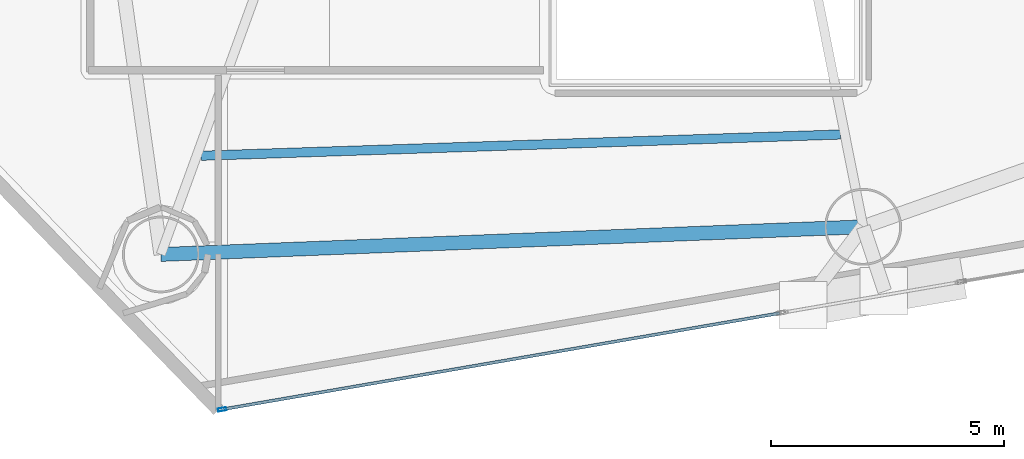
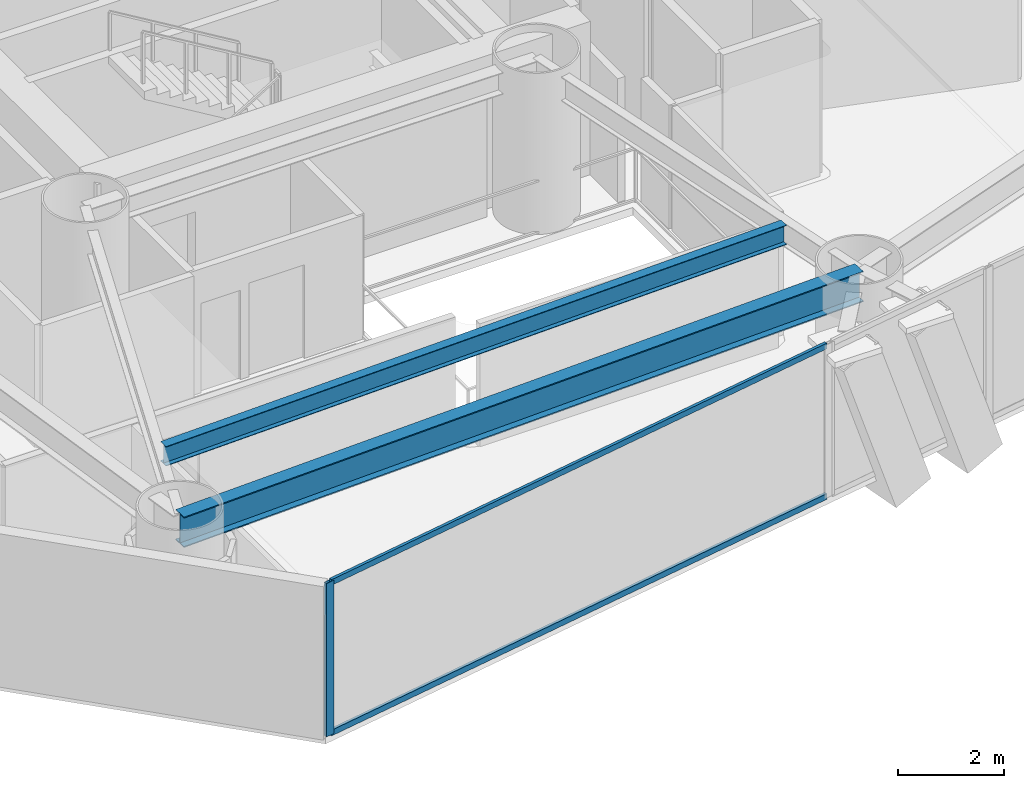
# One storey, part 2 of 23: 3 members, 2 beams, 1 element without a shape of its own.
"""IFC4 building model written with IfcOpenShell, lengths in metres."""

from ifc_helpers import new_model, si_unit, direction, frame, origin, origin_2d, place, context, subcontext, project, spatial, hollow_rectangle, i_section, extrude, material, layer, layer_set, material_profile, profile_set, type_object, element, aggregate, save


model = new_model("IFC4")

# Units and contexts
model_context = context("Model", 3, precision=1e-05, world=origin(), true_north=direction((0.0, 1.0)))
body_context = subcontext(model_context, "Body", "Model", "MODEL_VIEW")
ifc_project = project(units=[si_unit("LENGTHUNIT", "METRE"), si_unit("AREAUNIT", "SQUARE_METRE"), si_unit("VOLUMEUNIT", "CUBIC_METRE"), si_unit("PLANEANGLEUNIT", "RADIAN"), si_unit("MASSUNIT", "GRAM", prefix="KILO")], contexts=[model_context])

# Site, building, storey
site_placement = place(None, origin())
site = spatial("IfcSite", under=ifc_project, at=site_placement, CompositionType="ELEMENT")
building_placement = place(site_placement, origin())
building = spatial("IfcBuilding", under=site, at=building_placement, Name="Qianvela Tower", CompositionType="ELEMENT")
storey_placement = place(building_placement, frame((0.0, 0.0, 82.10009765625)))
storey = spatial("IfcBuildingStorey", under=building, at=storey_placement, Name="L20", CompositionType="ELEMENT", Elevation=82.10009765625)

# Beams
ifc_material_1 = material(Name="Steel Q355B", Category="steel")
ifc_material_profile_1 = material_profile(ifc_material_1, i_section(OverallWidth=0.199951171875, OverallDepth=0.449951171875, WebThickness=0.009033203125, FlangeThickness=0.013916015625, at=origin_2d()), Name="HN450x200x9x14")
ifc_profile_set_1 = profile_set([ifc_material_profile_1], Name="Steel Q355B")
beam_type_1 = type_object("IfcBeamType", Name="BM-HN450-JOIST", PredefinedType="JOIST", material=ifc_profile_set_1)
beam_1_placement = place(storey_placement, frame((25.9658203125, 16.345703125, 3.29296875), z_axis=(0.999447329793, 0.033242066273, 0.0), x_axis=(-0.033242066273, 0.999447329793, 0.0)))
element("IfcBeam", 1, at=beam_1_placement, inside=storey, type_object=beam_type_1, Name="L20 Secondary Composite Floor Joist 5.3", PredefinedType="JOIST", context=body_context, shape_type="SweptSolid", body=[
    extrude(i_section(OverallWidth=0.199951171875, OverallDepth=0.449951171875, WebThickness=0.009033203125, FlangeThickness=0.013916015625, at=origin_2d()), origin(), (0.0, 0.0, 1.0), 13.7412109375),
])
ifc_material_2 = material(Name="Steel Q355B", Category="steel")
ifc_material_profile_2 = material_profile(ifc_material_2, i_section(OverallWidth=0.300048828125, OverallDepth=0.699951171875, WebThickness=0.012939453125, FlangeThickness=0.02392578125, at=origin_2d()), Name="HN700x300x13x24")
ifc_profile_set_2 = profile_set([ifc_material_profile_2], Name="Steel Q355B")
beam_type_2 = type_object("IfcBeamType", Name="BM-HN700-SPAND", PredefinedType="SPANDREL", material=ifc_profile_set_2)
beam_2_placement = place(storey_placement, frame((25.10009765625, 14.22509765625, 3.16796875), z_axis=(0.999226043345, 0.039335916178, 0.0), x_axis=(-0.039335916178, 0.999226043345, 0.0)))
element("IfcBeam", 2, at=beam_2_placement, inside=storey, type_object=beam_type_2, Name="L20 Perimeter Ring Spandrel Girder 5", PredefinedType="SPANDREL", context=body_context, shape_type="SweptSolid", body=[
    extrude(i_section(OverallWidth=0.300048828125, OverallDepth=0.699951171875, WebThickness=0.012939453125, FlangeThickness=0.02392578125, at=origin_2d()), origin(), (0.0, 0.0, 1.0), 15.1005859375),
])

# Curtain wall, members
ifc_material_3 = material(Name="Anodised Architectural Aluminium and Low-E Glass", Category="aluminium")
ifc_layer = layer(ifc_material_3, 0.179931640625)
ifc_layer_set = layer_set([ifc_layer], Name="Anodised Architectural Aluminium and Low-E Glass")
curtain_wall_type = type_object("IfcCurtainWallType", Name="CW-COLIV-Z12", PredefinedType="USERDEFINED", material=ifc_layer_set)
curtain_wall_placement = place(storey_placement, origin())
curtain_wall = element("IfcCurtainWall", 3, at=curtain_wall_placement, inside=storey, type_object=curtain_wall_type, Name="L20 CW-COLIV-Z12 Curtain Wall 06A", ObjectType="CURTAIN_WALL_SYSTEM", PredefinedType="USERDEFINED")
ifc_material_4 = material(Name="Anodised Architectural Aluminium 6063-T6", Category="aluminium")
ifc_material_profile_3 = material_profile(ifc_material_4, hollow_rectangle(XDim=0.070068359375, YDim=0.179931640625, WallThickness=0.0048828125, at=origin_2d()), Name="ALU-MULL-70x180")
ifc_profile_set_3 = profile_set([ifc_material_profile_3], Name="Anodised Architectural Aluminium 6063-T6")
member_type_1 = type_object("IfcMemberType", Name="CW-COLIV-Z12-MULL", PredefinedType="MULLION", material=ifc_profile_set_3)
member_1_placement = place(storey_placement, frame((26.416748046875, 10.896240234375, 0.0), z_axis=(0.0, 0.0, 1.0), x_axis=(-0.170090466277, 0.98542845163, 0.0)))
member_1 = element("IfcMember", 4, at=member_1_placement, type_object=member_type_1, Name="CW-3 mullion 1", PredefinedType="MULLION", context=body_context, shape_type="SweptSolid", body=[
    extrude(hollow_rectangle(XDim=0.070068359375, YDim=0.179931640625, WallThickness=0.0048828125, at=origin_2d()), origin(), (0.0, 0.0, 1.0), 3.52001953125),
])
ifc_material_5 = material(Name="Anodised Architectural Aluminium 6063-T6", Category="aluminium")
ifc_material_profile_4 = material_profile(ifc_material_5, hollow_rectangle(XDim=0.06494140625, YDim=0.1298828125, WallThickness=0.00439453125, at=origin_2d()), Name="ALU-TRAN-65x130")
ifc_profile_set_4 = profile_set([ifc_material_profile_4], Name="Anodised Architectural Aluminium 6063-T6")
member_type_2 = type_object("IfcMemberType", Name="CW-COLIV-Z12-TRAN", PredefinedType="USERDEFINED", material=ifc_profile_set_4)
member_2_placement = place(storey_placement, frame((26.451171875, 10.902099609375, 0.032470703125), z_axis=(0.985427998556, 0.170093091165, 0.0), x_axis=(-0.170093091165, 0.985427998556, 0.0)))
member_2 = element("IfcMember", 5, at=member_2_placement, type_object=member_type_2, Name="CW-3 transom 1.1", ObjectType="TRANSOM", PredefinedType="USERDEFINED", context=body_context, shape_type="SweptSolid", body=[
    extrude(hollow_rectangle(XDim=0.06494140625, YDim=0.1298828125, WallThickness=0.00439453125, at=origin_2d()), origin(), (0.0, 0.0, 1.0), 12.119873046875),
])
member_3_placement = place(storey_placement, frame((26.451171875, 10.902099609375, 3.4873046875), z_axis=(0.985427998556, 0.170093091165, 0.0), x_axis=(-0.170093091165, 0.985427998556, 0.0)))
member_3 = element("IfcMember", 6, at=member_3_placement, type_object=member_type_2, Name="CW-3 transom 1.2", ObjectType="TRANSOM", PredefinedType="USERDEFINED", context=body_context, shape_type="SweptSolid", body=[
    extrude(hollow_rectangle(XDim=0.06494140625, YDim=0.1298828125, WallThickness=0.00439453125, at=origin_2d()), origin(), (0.0, 0.0, 1.0), 12.119873046875),
])
aggregate(curtain_wall, [member_1, member_2, member_3])

save(model, "model.ifc")
